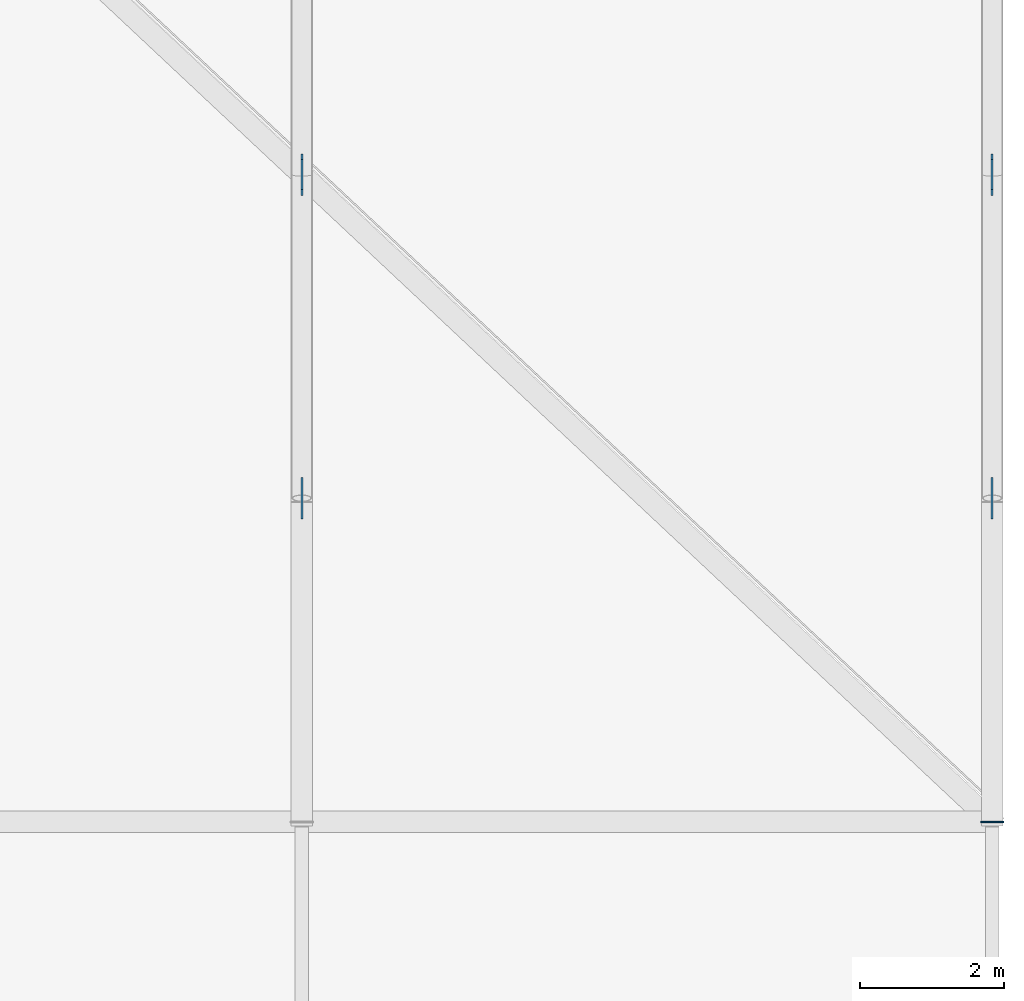
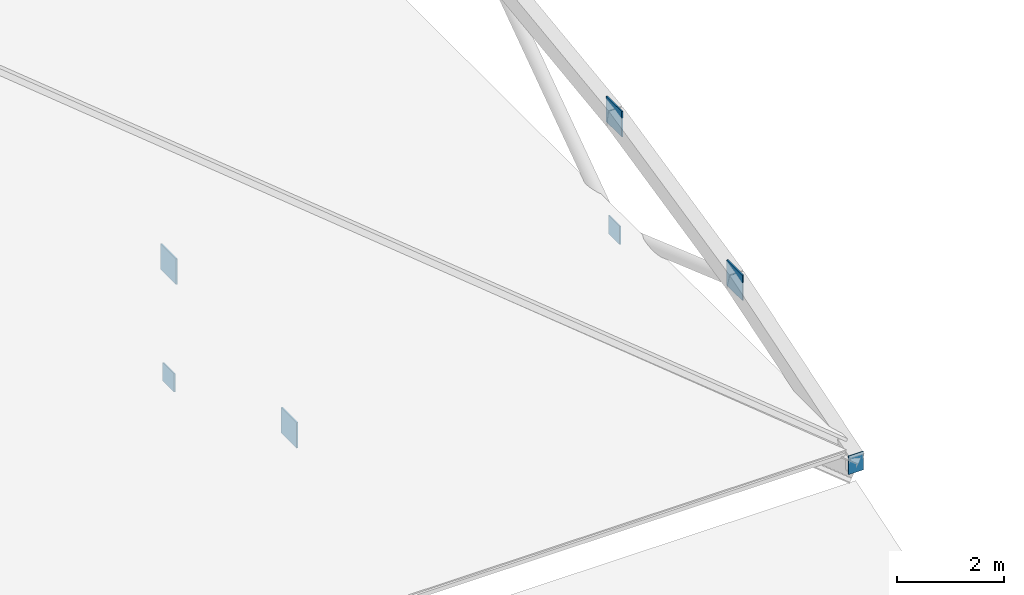
# One storey, part 9 of 16: 7 plates.
"""IFC4 building model written with IfcOpenShell, lengths in metres."""

from ifc_helpers import new_model, si_unit, direction, frame, origin, origin_2d, place, context, subcontext, project, spatial, rectangle, extrude, material, layer, layer_set, type_object, element, save


model = new_model("IFC4")

# Units and contexts
model_context = context("Model", 3, precision=1e-05, world=origin(), true_north=direction((0.0, 1.0)))
body_context = subcontext(model_context, "Body", "Model", "MODEL_VIEW")
ifc_project = project(units=[si_unit("LENGTHUNIT", "METRE"), si_unit("AREAUNIT", "SQUARE_METRE"), si_unit("VOLUMEUNIT", "CUBIC_METRE"), si_unit("PLANEANGLEUNIT", "RADIAN"), si_unit("MASSUNIT", "GRAM", prefix="KILO")], contexts=[model_context])

# Site, building, storey
site_placement = place(None, origin())
site = spatial("IfcSite", under=ifc_project, at=site_placement, CompositionType="ELEMENT")
building_placement = place(site_placement, origin())
building = spatial("IfcBuilding", under=site, at=building_placement, Name="Zarnetskaya Central Station", CompositionType="ELEMENT")
storey_placement = place(building_placement, frame((0.0, 0.0, 27.0)))
storey = spatial("IfcBuildingStorey", under=building, at=storey_placement, Name="RF", CompositionType="ELEMENT", Elevation=27.0)

# Plates
ifc_material = material(Name="Steel S355", Category="steel")
ifc_layer_1 = layer(ifc_material, 0.02001953125, Name="Steel S355", Category="steel")
ifc_layer_set_1 = layer_set([ifc_layer_1], Name="Steel S355")
plate_type_1 = type_object("IfcPlateType", Name="ND-ENDCAP-20", PredefinedType="SHEET", material=ifc_layer_set_1)
plate_placement = place(storey_placement, frame((124.800048828125, 22.199951171875, -13.10986328125), z_axis=(0.0, 0.0, 1.0), x_axis=(1.0, 0.0, 0.0)))
element("IfcPlate", 1, at=plate_placement, inside=storey, type_object=plate_type_1, Name="ROOF TRUSS RT-08 end cap plate 1", PredefinedType="SHEET", context=body_context, shape_type="SweptSolid", body=[
    extrude(rectangle(XDim=0.320068359375, YDim=0.02001953125, at=origin_2d()), origin(), (0.0, 0.0, 1.0), 0.419921875),
])
ifc_layer_2 = layer(ifc_material, 0.028076171875, Name="Steel S355", Category="steel")
ifc_layer_set_2 = layer_set([ifc_layer_2], Name="Steel S355")
plate_type_2 = type_object("IfcPlateType", Name="ND-GUSSET-28", PredefinedType="USERDEFINED", material=ifc_layer_set_2)
for number, where, z_axis, x_axis, name in (
    (2, (115.199951171875, 26.699951171875, -11.75830078125), (0.0, 0.0, 1.0), (1.0, 0.0, 0.0), "ROOF TRUSS RT-07 gusset node plate 1"),
    (3, (115.199951171875, 31.199951171875, -10.760009765625), (0.0, 0.0, 1.0), (1.0, 0.0, 0.0), "ROOF TRUSS RT-07 gusset node plate 2"),
    (4, (124.800048828125, 26.699951171875, -11.75830078125), (0.0, 0.0, 1.0), (1.0, 0.0, 0.0), "ROOF TRUSS RT-08 gusset node plate 1"),
    (5, (124.800048828125, 31.199951171875, -10.760009765625), (0.0, 0.0, 1.0), (1.0, 0.0, 0.0), "ROOF TRUSS RT-08 gusset node plate 2"),
):
    element("IfcPlate", number, at=place(storey_placement, frame(where, z_axis=z_axis, x_axis=x_axis)), inside=storey, type_object=plate_type_2, Name=name, ObjectType="GUSSET PLATE", PredefinedType="USERDEFINED", context=body_context, shape_type="SweptSolid", body=[
        extrude(rectangle(XDim=0.028076171875, YDim=0.580078125, at=origin_2d()), origin(), (0.0, 0.0, 1.0), 0.580078125),
    ])
for number, where, z_axis, x_axis, name in (
    (6, (115.199951171875, 31.199951171875, -13.260009765625), (0.0, 0.0, 1.0), (1.0, 0.0, 0.0), "Structural member end gusset plate 019"),
    (7, (124.800048828125, 31.199951171875, -13.260009765625), (0.0, 0.0, 1.0), (1.0, 0.0, 0.0), "Structural member end gusset plate 022"),
):
    element("IfcPlate", number, at=place(storey_placement, frame(where, z_axis=z_axis, x_axis=x_axis)), inside=storey, type_object=plate_type_2, Name=name, ObjectType="GUSSET PLATE", PredefinedType="USERDEFINED", context=body_context, shape_type="SweptSolid", body=[
        extrude(rectangle(XDim=0.028076171875, YDim=0.419921875, at=origin_2d()), origin(), (0.0, 0.0, 1.0), 0.419921875),
    ])

save(model, "model.ifc")
